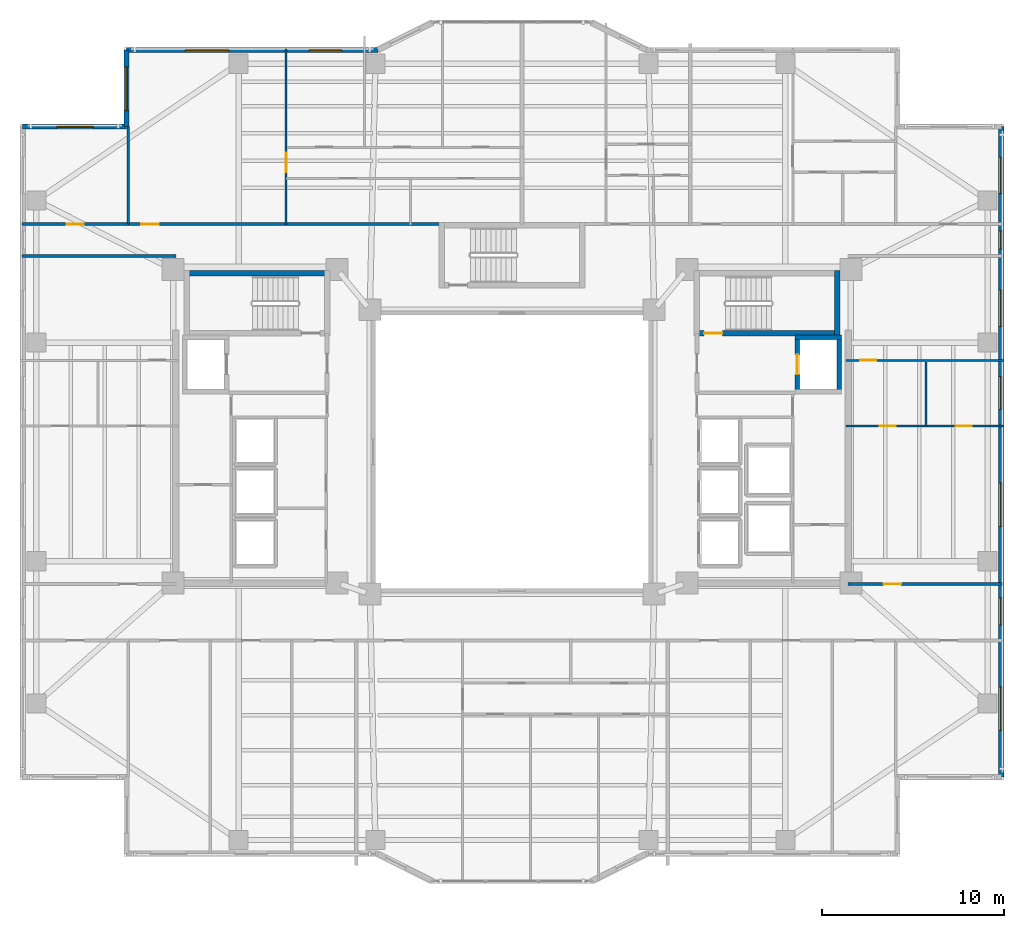
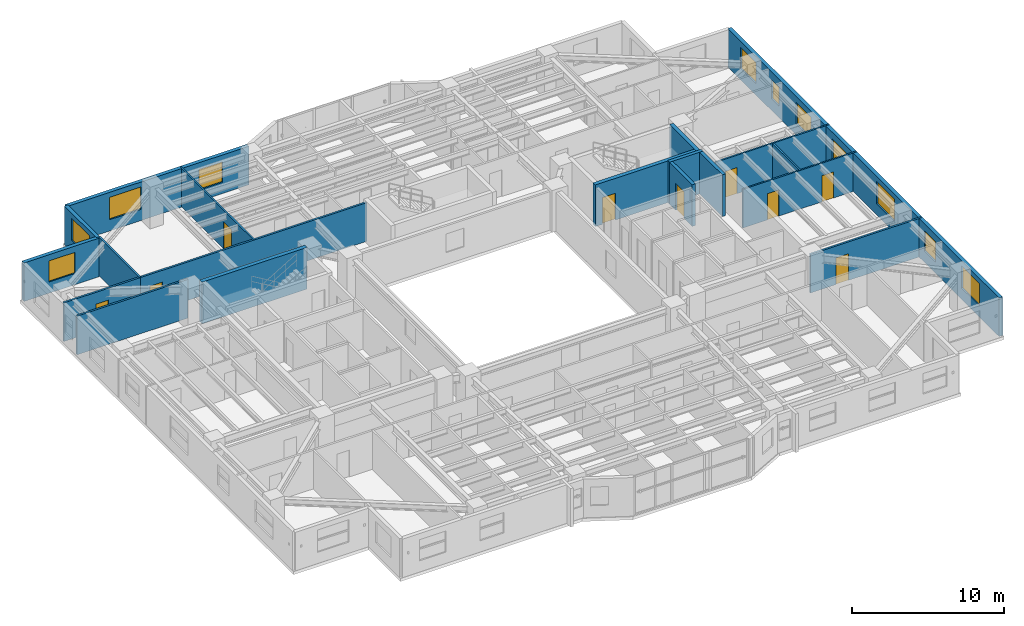
# One storey, part 9 of 18: 19 walls, 11 windows, 9 doors, 20 openings.
"""IFC4 building model written with IfcOpenShell, lengths in metres."""

from ifc_helpers import new_model, si_unit, direction, frame, frame_2d, origin, place, context, subcontext, project, spatial, rectangle, extrude, material, layer, layer_set, type_object, element, fill, save


model = new_model("IFC4")

# Units and contexts
model_context = context("Model", 3, precision=1e-05, world=origin(), true_north=direction((0.0, 1.0)))
body_context = subcontext(model_context, "Body", "Model", "MODEL_VIEW")
ifc_project = project(units=[si_unit("LENGTHUNIT", "METRE"), si_unit("AREAUNIT", "SQUARE_METRE"), si_unit("VOLUMEUNIT", "CUBIC_METRE"), si_unit("PLANEANGLEUNIT", "RADIAN"), si_unit("MASSUNIT", "GRAM", prefix="KILO")], contexts=[model_context])

# Site, building, storey
site_placement = place(None, origin())
site = spatial("IfcSite", under=ifc_project, at=site_placement, CompositionType="ELEMENT")
building_placement = place(site_placement, origin())
building = spatial("IfcBuilding", under=site, at=building_placement, Name="Tarnavaz Court Tower", CompositionType="ELEMENT")
storey_placement = place(building_placement, frame((0.0, 0.0, 95.050048828125)))
storey = spatial("IfcBuildingStorey", under=building, at=storey_placement, Name="L25", CompositionType="ELEMENT", Elevation=95.050048828125)

# Wall, opening, door
ifc_material_1 = material(Name="Concrete C60/75", Category="concrete")
ifc_layer_1 = layer(ifc_material_1, 0.25)
ifc_layer_set_1 = layer_set([ifc_layer_1], Name="Concrete C60/75")
wall_type_1 = type_object("IfcWallType", Name="WL-CORE-250-C60", PredefinedType="SHEAR", material=ifc_layer_set_1)
wall_1_placement = place(storey_placement, frame((15.64990234375, 3.175048828125, 0.0), z_axis=(0.0, 0.0, 1.0), x_axis=(0.0, 1.0, 0.0)))
wall_1 = element("IfcWall", 1, at=wall_1_placement, inside=storey, type_object=wall_type_1, Name="L25 Lift FL-E1 Shaft Wall 033", PredefinedType="SHEAR", context=body_context, shape_type="SweptSolid", body=[
    extrude(rectangle(XDim=3.25, YDim=0.25, at=frame_2d((1.625, 0.0))), origin(), (0.0, 0.0, 1.0), 3.349853515625),
])
opening_1_placement = place(wall_1_placement, frame((1.074951171875, 0.0, 0.0)))
opening_1 = element("IfcOpeningElement", 2, at=opening_1_placement, cuts=wall_1, Name="Opening LD1", PredefinedType="OPENING", context=body_context, shape_type="SweptSolid", body=[
    extrude(rectangle(XDim=1.10009765625, YDim=2.14990234375, at=frame_2d((0.550048828125, 1.074951171875))), frame((0.0, 0.135009765625, 0.0), z_axis=(0.0, -1.0, 0.0), x_axis=(1.0, 0.0, 0.0)), (0.0, 0.0, 1.0), 0.27001953125),
])
ifc_material_2 = material(Name="Stainless Steel", Category="steel")
door_type_1 = type_object("IfcDoorType", Name="DR-LD-1100", OperationType="NOTDEFINED", PredefinedType="DOOR", material=ifc_material_2)
door_1_placement = place(opening_1_placement, origin())
door_1 = element("IfcDoor", 3, at=door_1_placement, inside=storey, type_object=door_type_1, Name="L25 Lift Landing Door LD-FL-E1", OperationType="SLIDING_TO_LEFT", OverallHeight=2.14990234375, OverallWidth=1.10009765625, PredefinedType="DOOR", context=body_context, shape_type="SweptSolid", body=[
    extrude(rectangle(XDim=1.10009765625, YDim=2.14990234375, at=frame_2d((0.550048828125, 1.074951171875))), frame((0.0, 0.02490234375, 0.0), z_axis=(0.0, -1.0, 0.0), x_axis=(1.0, 0.0, 0.0)), (0.0, 0.0, 1.0), 0.050048828125),
])
fill(opening_1, door_1)

# Walls
wall_2_placement = place(storey_placement, frame((17.949951171875, 3.175048828125, 0.0), z_axis=(0.0, 0.0, 1.0), x_axis=(0.0, 1.0, 0.0)))
element("IfcWall", 4, at=wall_2_placement, inside=storey, type_object=wall_type_1, Name="L25 Lift FL-E1 Shaft Wall 034", PredefinedType="SHEAR", context=body_context, shape_type="SweptSolid", body=[
    extrude(rectangle(XDim=3.25, YDim=0.25, at=frame_2d((1.625, 0.0))), origin(), (0.0, 0.0, 1.0), 3.349853515625),
])
wall_3_placement = place(storey_placement, frame((15.52490234375, 6.300048828125, 0.0), z_axis=(0.0, 0.0, 1.0), x_axis=(1.0, 0.0, 0.0)))
element("IfcWall", 5, at=wall_3_placement, inside=storey, type_object=wall_type_1, Name="L25 Lift FL-E1 Shaft Wall 036", PredefinedType="SHEAR", context=body_context, shape_type="SweptSolid", body=[
    extrude(rectangle(XDim=2.550048828125, YDim=0.25, at=frame_2d((1.27490234375, 0.0))), origin(), (0.0, 0.0, 1.0), 3.349853515625),
])
ifc_layer_2 = layer(ifc_material_1, 0.300048828125)
ifc_layer_set_2 = layer_set([ifc_layer_2], Name="Concrete C60/75")
wall_type_2 = type_object("IfcWallType", Name="WL-CORE-300-C60", PredefinedType="SHEAR", material=ifc_layer_set_2)
wall_4_placement = place(storey_placement, frame((-18.0, 9.7900390625, 0.0), z_axis=(0.0, 0.0, 1.0), x_axis=(1.0, 0.0, 0.0)))
element("IfcWall", 6, at=wall_4_placement, inside=storey, type_object=wall_type_2, Name="L25 West Stair Core Wall 001", PredefinedType="SHEAR", context=body_context, shape_type="SweptSolid", body=[
    extrude(rectangle(XDim=8.0, YDim=0.300048828125, at=frame_2d((4.0, 0.0))), origin(), (0.0, 0.0, 1.0), 3.349853515625),
])

# Wall, opening, door
wall_5_placement = place(storey_placement, frame((10.0, 6.5, 0.0), z_axis=(0.0, 0.0, 1.0), x_axis=(1.0, 0.0, 0.0)))
wall_5 = element("IfcWall", 7, at=wall_5_placement, inside=storey, type_object=wall_type_2, Name="L25 East Stair Core Wall 006", PredefinedType="SHEAR", context=body_context, shape_type="SweptSolid", body=[
    extrude(rectangle(XDim=8.0, YDim=0.300048828125, at=frame_2d((4.0, 0.0))), origin(), (0.0, 0.0, 1.0), 3.349853515625),
])
opening_2_placement = place(wall_5_placement, frame((0.550048828125, 0.0, 0.0)))
opening_2 = element("IfcOpeningElement", 8, at=opening_2_placement, cuts=wall_5, Name="Opening D01", PredefinedType="OPENING", context=body_context, shape_type="SweptSolid", body=[
    extrude(rectangle(XDim=1.0, YDim=2.14990234375, at=frame_2d((0.5, 1.074951171875))), frame((0.0, 0.159912109375, 0.0), z_axis=(0.0, -1.0, 0.0), x_axis=(1.0, 0.0, 0.0)), (0.0, 0.0, 1.0), 0.320068359375),
])
ifc_material_3 = material(Name="Fire-Rated Hardwood Timber Core", Category="wood")
door_type_2 = type_object("IfcDoorType", Name="DR-FD90-1000", OperationType="NOTDEFINED", PredefinedType="DOOR", material=ifc_material_3)
door_2_placement = place(opening_2_placement, origin())
door_2 = element("IfcDoor", 9, at=door_2_placement, inside=storey, type_object=door_type_2, Name="L25 Stair ST-E1 Exit Door", OperationType="SINGLE_SWING_RIGHT", OverallHeight=2.14990234375, OverallWidth=1.0, PredefinedType="DOOR", context=body_context, shape_type="SweptSolid", body=[
    extrude(rectangle(XDim=1.0, YDim=2.14990234375, at=frame_2d((0.5, 1.074951171875))), frame((0.0, 0.02490234375, 0.0), z_axis=(0.0, -1.0, 0.0), x_axis=(1.0, 0.0, 0.0)), (0.0, 0.0, 1.0), 0.050048828125),
])
fill(opening_2, door_2)

# Wall
wall_6_placement = place(storey_placement, frame((17.85009765625, 6.35009765625, 0.0), z_axis=(0.0, 0.0, 1.0), x_axis=(0.0, 1.0, 0.0)))
element("IfcWall", 10, at=wall_6_placement, inside=storey, type_object=wall_type_2, Name="L25 East Stair Core Wall 008", PredefinedType="SHEAR", context=body_context, shape_type="SweptSolid", body=[
    extrude(rectangle(XDim=3.58984375, YDim=0.300048828125, at=frame_2d((1.794921875, 0.0))), origin(), (0.0, 0.0, 1.0), 3.349853515625),
])

# Wall, opening, window
ifc_material_4 = material(Name="Precast Concrete C40/50", Category="concrete")
ifc_layer_3 = layer(ifc_material_4, 0.280029296875)
ifc_layer_set_3 = layer_set([ifc_layer_3], Name="Precast Concrete C40/50")
wall_type_3 = type_object("IfcWallType", Name="WL-EXT-280", PredefinedType="SOLIDWALL", material=ifc_layer_set_3)
wall_7_placement = place(storey_placement, frame((-26.85009765625, 17.85009765625, 0.0), z_axis=(0.0, 0.0, 1.0), x_axis=(1.0, 0.0, 0.0)))
wall_7 = element("IfcWall", 11, at=wall_7_placement, inside=storey, type_object=wall_type_3, Name="L25 Exterior Terracotta Facade Wall 03", PredefinedType="SOLIDWALL", context=body_context, shape_type="SweptSolid", body=[
    extrude(rectangle(XDim=5.7001953125, YDim=0.280029296875, at=frame_2d((2.85009765625, 0.0))), origin(), (0.0, 0.0, 1.0), 3.099853515625),
])
opening_3_placement = place(wall_7_placement, frame((1.875, 0.0, 0.89990234375)))
opening_3 = element("IfcOpeningElement", 12, at=opening_3_placement, cuts=wall_7, Name="Opening W08", PredefinedType="OPENING", context=body_context, shape_type="SweptSolid", body=[
    extrude(rectangle(XDim=2.0, YDim=1.699951171875, at=frame_2d((1.0, 0.85009765625))), frame((0.0, 0.14990234375, 0.0), z_axis=(0.0, -1.0, 0.0), x_axis=(1.0, 0.0, 0.0)), (0.0, 0.0, 1.0), 0.300048828125),
])
ifc_material_5 = material(Name="Double-Glazed Solar Low-E Glass", Category="glass")
window_type_1 = type_object("IfcWindowType", Name="WN-APT-2000", PartitioningType="DOUBLE_PANEL_VERTICAL", PredefinedType="WINDOW", material=ifc_material_5)
window_1_placement = place(opening_3_placement, origin())
window_1 = element("IfcWindow", 13, at=window_1_placement, inside=storey, type_object=window_type_1, Name="L25 North-West Corner Sunroom Study Window", OverallHeight=1.699951171875, OverallWidth=2.0, PartitioningType="SINGLE_PANEL", PredefinedType="WINDOW", context=body_context, shape_type="SweptSolid", body=[
    extrude(rectangle(XDim=2.0, YDim=1.699951171875, at=frame_2d((1.0, 0.85009765625))), frame((0.0, 0.030029296875, 0.0), z_axis=(0.0, -1.0, 0.0), x_axis=(1.0, 0.0, 0.0)), (0.0, 0.0, 1.0), 0.06005859375),
])
fill(opening_3, window_1)

wall_8_placement = place(storey_placement, frame((-21.14990234375, 17.85009765625, 0.0), z_axis=(0.0, 0.0, 1.0), x_axis=(0.0, 1.0, 0.0)))
wall_8 = element("IfcWall", 14, at=wall_8_placement, inside=storey, type_object=wall_type_3, Name="L25 Exterior Terracotta Facade Wall 04", PredefinedType="SOLIDWALL", context=body_context, shape_type="SweptSolid", body=[
    extrude(rectangle(XDim=4.199951171875, YDim=0.280029296875, at=frame_2d((2.10009765625, 0.0))), origin(), (0.0, 0.0, 1.0), 3.099853515625),
])
opening_4_placement = place(wall_8_placement, frame((0.882080078125, 0.0, 0.89990234375)))
opening_4 = element("IfcOpeningElement", 15, at=opening_4_placement, cuts=wall_8, Name="Opening W06", PredefinedType="OPENING", context=body_context, shape_type="SweptSolid", body=[
    extrude(rectangle(XDim=2.39990234375, YDim=1.800048828125, at=frame_2d((1.199951171875, 0.89990234375))), frame((0.0, 0.14990234375, 0.0), z_axis=(0.0, -1.0, 0.0), x_axis=(1.0, 0.0, 0.0)), (0.0, 0.0, 1.0), 0.300048828125),
])
window_type_2 = type_object("IfcWindowType", Name="WN-APT-2400", PartitioningType="TRIPLE_PANEL_VERTICAL", PredefinedType="WINDOW", material=ifc_material_5)
window_2_placement = place(opening_4_placement, origin())
window_2 = element("IfcWindow", 16, at=window_2_placement, inside=storey, type_object=window_type_2, Name="L25 Flat 01 Living and Dining Room Window", OverallHeight=1.800048828125, OverallWidth=2.39990234375, PartitioningType="SINGLE_PANEL", PredefinedType="WINDOW", context=body_context, shape_type="SweptSolid", body=[
    extrude(rectangle(XDim=2.39990234375, YDim=1.800048828125, at=frame_2d((1.199951171875, 0.89990234375))), frame((0.0, 0.030029296875, 0.0), z_axis=(0.0, -1.0, 0.0), x_axis=(1.0, 0.0, 0.0)), (0.0, 0.0, 1.0), 0.06005859375),
])
fill(opening_4, window_2)

# Wall, openings, windows
wall_9_placement = place(storey_placement, frame((-21.14990234375, 22.050048828125, 0.0), z_axis=(0.0, 0.0, 1.0), x_axis=(1.0, 0.0, 0.0)))
wall_9 = element("IfcWall", 17, at=wall_9_placement, inside=storey, type_object=wall_type_3, Name="L25 Exterior Terracotta Facade Wall 05", PredefinedType="SOLIDWALL", context=body_context, shape_type="SweptSolid", body=[
    extrude(rectangle(XDim=13.7998046875, YDim=0.280029296875, at=frame_2d((6.89990234375, 0.0))), origin(), (0.0, 0.0, 1.0), 3.099853515625),
])
opening_5_placement = place(wall_9_placement, frame((3.216064453125, 0.0, 0.89990234375)))
opening_5 = element("IfcOpeningElement", 18, at=opening_5_placement, cuts=wall_9, Name="Opening W06", PredefinedType="OPENING", context=body_context, shape_type="SweptSolid", body=[
    extrude(rectangle(XDim=2.39990234375, YDim=1.800048828125, at=frame_2d((1.199951171875, 0.89990234375))), frame((0.0, 0.14990234375, 0.0), z_axis=(0.0, -1.0, 0.0), x_axis=(1.0, 0.0, 0.0)), (0.0, 0.0, 1.0), 0.300048828125),
])
opening_6_placement = place(wall_9_placement, frame((10.014404296875, 0.0, 0.89990234375)))
opening_6 = element("IfcOpeningElement", 19, at=opening_6_placement, cuts=wall_9, Name="Opening W01", PredefinedType="OPENING", context=body_context, shape_type="SweptSolid", body=[
    extrude(rectangle(XDim=1.800048828125, YDim=1.64990234375, at=frame_2d((0.89990234375, 0.824951171875))), frame((0.0, 0.14990234375, 0.0), z_axis=(0.0, -1.0, 0.0), x_axis=(1.0, 0.0, 0.0)), (0.0, 0.0, 1.0), 0.300048828125),
])
window_type_3 = type_object("IfcWindowType", Name="WN-APT-1800", PartitioningType="DOUBLE_PANEL_VERTICAL", PredefinedType="WINDOW", material=ifc_material_5)
window_3_placement = place(opening_6_placement, origin())
window_3 = element("IfcWindow", 20, at=window_3_placement, inside=storey, type_object=window_type_3, Name="L25 Flat 01 Principal Bedroom Window", OverallHeight=1.64990234375, OverallWidth=1.800048828125, PartitioningType="SINGLE_PANEL", PredefinedType="WINDOW", context=body_context, shape_type="SweptSolid", body=[
    extrude(rectangle(XDim=1.800048828125, YDim=1.64990234375, at=frame_2d((0.89990234375, 0.824951171875))), frame((0.0, 0.030029296875, 0.0), z_axis=(0.0, -1.0, 0.0), x_axis=(1.0, 0.0, 0.0)), (0.0, 0.0, 1.0), 0.06005859375),
])
fill(opening_6, window_3)
window_4_placement = place(opening_5_placement, origin())
window_4 = element("IfcWindow", 21, at=window_4_placement, inside=storey, type_object=window_type_2, Name="L25 Flat 01 Living and Dining Room Window", OverallHeight=1.800048828125, OverallWidth=2.39990234375, PartitioningType="SINGLE_PANEL", PredefinedType="WINDOW", context=body_context, shape_type="SweptSolid", body=[
    extrude(rectangle(XDim=2.39990234375, YDim=1.800048828125, at=frame_2d((1.199951171875, 0.89990234375))), frame((0.0, 0.030029296875, 0.0), z_axis=(0.0, -1.0, 0.0), x_axis=(1.0, 0.0, 0.0)), (0.0, 0.0, 1.0), 0.06005859375),
])
fill(opening_5, window_4)

wall_10_placement = place(storey_placement, frame((26.85009765625, 17.85009765625, 0.0), z_axis=(0.0, 0.0, 1.0), x_axis=(0.0, -1.0, 0.0)))
wall_10 = element("IfcWall", 22, at=wall_10_placement, inside=storey, type_object=wall_type_3, Name="L25 Exterior Terracotta Facade Wall 12", PredefinedType="SOLIDWALL", context=body_context, shape_type="SweptSolid", body=[
    extrude(rectangle(XDim=35.7001953125, YDim=0.280029296875, at=frame_2d((17.85009765625, 0.0))), origin(), (0.0, 0.0, 1.0), 3.099853515625),
])
opening_7_placement = place(wall_10_placement, frame((1.675048828125, 0.0, 0.89990234375)))
opening_7 = element("IfcOpeningElement", 23, at=opening_7_placement, cuts=wall_10, Name="Opening W08", PredefinedType="OPENING", context=body_context, shape_type="SweptSolid", body=[
    extrude(rectangle(XDim=2.0, YDim=1.699951171875, at=frame_2d((1.0, 0.85009765625))), frame((0.0, 0.14990234375, 0.0), z_axis=(0.0, -1.0, 0.0), x_axis=(1.0, 0.0, 0.0)), (0.0, 0.0, 1.0), 0.300048828125),
])
opening_8_placement = place(wall_10_placement, frame((5.72509765625, 0.0, 0.949951171875)))
opening_8 = element("IfcOpeningElement", 24, at=opening_8_placement, cuts=wall_10, Name="Opening W14", PredefinedType="OPENING", context=body_context, shape_type="SweptSolid", body=[
    extrude(rectangle(XDim=1.0, YDim=1.5, at=frame_2d((0.5, 0.75))), frame((0.0, 0.14990234375, 0.0), z_axis=(0.0, -1.0, 0.0), x_axis=(1.0, 0.0, 0.0)), (0.0, 0.0, 1.0), 0.300048828125),
])
opening_9_placement = place(wall_10_placement, frame((8.97509765625, 0.0, 0.89990234375)))
opening_9 = element("IfcOpeningElement", 25, at=opening_9_placement, cuts=wall_10, Name="Opening W08", PredefinedType="OPENING", context=body_context, shape_type="SweptSolid", body=[
    extrude(rectangle(XDim=2.0, YDim=1.699951171875, at=frame_2d((1.0, 0.85009765625))), frame((0.0, 0.14990234375, 0.0), z_axis=(0.0, -1.0, 0.0), x_axis=(1.0, 0.0, 0.0)), (0.0, 0.0, 1.0), 0.300048828125),
])
opening_10_placement = place(wall_10_placement, frame((13.72509765625, 0.0, 0.89990234375)))
opening_10 = element("IfcOpeningElement", 26, at=opening_10_placement, cuts=wall_10, Name="Opening W01", PredefinedType="OPENING", context=body_context, shape_type="SweptSolid", body=[
    extrude(rectangle(XDim=1.800048828125, YDim=1.64990234375, at=frame_2d((0.89990234375, 0.824951171875))), frame((0.0, 0.14990234375, 0.0), z_axis=(0.0, -1.0, 0.0), x_axis=(1.0, 0.0, 0.0)), (0.0, 0.0, 1.0), 0.300048828125),
])
opening_11_placement = place(wall_10_placement, frame((19.550048828125, 0.0, 0.89990234375)))
opening_11 = element("IfcOpeningElement", 27, at=opening_11_placement, cuts=wall_10, Name="Opening W06", PredefinedType="OPENING", context=body_context, shape_type="SweptSolid", body=[
    extrude(rectangle(XDim=2.39990234375, YDim=1.800048828125, at=frame_2d((1.199951171875, 0.89990234375))), frame((0.0, 0.14990234375, 0.0), z_axis=(0.0, -1.0, 0.0), x_axis=(1.0, 0.0, 0.0)), (0.0, 0.0, 1.0), 0.300048828125),
])
opening_12_placement = place(wall_10_placement, frame((25.857421875, 0.0, 0.89990234375)))
opening_12 = element("IfcOpeningElement", 28, at=opening_12_placement, cuts=wall_10, Name="Opening W03", PredefinedType="OPENING", context=body_context, shape_type="SweptSolid", body=[
    extrude(rectangle(XDim=1.5, YDim=1.64990234375, at=frame_2d((0.75, 0.824951171875))), frame((0.0, 0.14990234375, 0.0), z_axis=(0.0, -1.0, 0.0), x_axis=(1.0, 0.0, 0.0)), (0.0, 0.0, 1.0), 0.300048828125),
])
opening_13_placement = place(wall_10_placement, frame((30.75, 0.0, 0.89990234375)))
opening_13 = element("IfcOpeningElement", 29, at=opening_13_placement, cuts=wall_10, Name="Opening W06", PredefinedType="OPENING", context=body_context, shape_type="SweptSolid", body=[
    extrude(rectangle(XDim=2.39990234375, YDim=1.800048828125, at=frame_2d((1.199951171875, 0.89990234375))), frame((0.0, 0.14990234375, 0.0), z_axis=(0.0, -1.0, 0.0), x_axis=(1.0, 0.0, 0.0)), (0.0, 0.0, 1.0), 0.300048828125),
])
window_type_4 = type_object("IfcWindowType", Name="WN-APT-1000", PartitioningType="SINGLE_PANEL", PredefinedType="WINDOW", material=ifc_material_5)
window_5_placement = place(opening_8_placement, origin())
window_5 = element("IfcWindow", 30, at=window_5_placement, inside=storey, type_object=window_type_4, Name="L25 North-East Corner Corridor Window", OverallHeight=1.5, OverallWidth=1.0, PartitioningType="SINGLE_PANEL", PredefinedType="WINDOW", context=body_context, shape_type="SweptSolid", body=[
    extrude(rectangle(XDim=1.0, YDim=1.5, at=frame_2d((0.5, 0.75))), frame((0.0, 0.030029296875, 0.0), z_axis=(0.0, -1.0, 0.0), x_axis=(1.0, 0.0, 0.0)), (0.0, 0.0, 1.0), 0.06005859375),
])
fill(opening_8, window_5)
window_type_5 = type_object("IfcWindowType", Name="WN-APT-1500", PartitioningType="DOUBLE_PANEL_VERTICAL", PredefinedType="WINDOW", material=ifc_material_5)
window_6_placement = place(opening_12_placement, origin())
window_6 = element("IfcWindow", 31, at=window_6_placement, inside=storey, type_object=window_type_5, Name="L25 South-East Corner Corridor Window", OverallHeight=1.64990234375, OverallWidth=1.5, PartitioningType="SINGLE_PANEL", PredefinedType="WINDOW", context=body_context, shape_type="SweptSolid", body=[
    extrude(rectangle(XDim=1.5, YDim=1.64990234375, at=frame_2d((0.75, 0.824951171875))), frame((0.0, 0.030029296875, 0.0), z_axis=(0.0, -1.0, 0.0), x_axis=(1.0, 0.0, 0.0)), (0.0, 0.0, 1.0), 0.06005859375),
])
fill(opening_12, window_6)
window_7_placement = place(opening_10_placement, origin())
window_7 = element("IfcWindow", 32, at=window_7_placement, inside=storey, type_object=window_type_3, Name="L25 Flat 06 Bathroom Window", OverallHeight=1.64990234375, OverallWidth=1.800048828125, PartitioningType="SINGLE_PANEL", PredefinedType="WINDOW", context=body_context, shape_type="SweptSolid", body=[
    extrude(rectangle(XDim=1.800048828125, YDim=1.64990234375, at=frame_2d((0.89990234375, 0.824951171875))), frame((0.0, 0.030029296875, 0.0), z_axis=(0.0, -1.0, 0.0), x_axis=(1.0, 0.0, 0.0)), (0.0, 0.0, 1.0), 0.06005859375),
])
fill(opening_10, window_7)
window_8_placement = place(opening_7_placement, origin())
window_8 = element("IfcWindow", 33, at=window_8_placement, inside=storey, type_object=window_type_1, Name="L25 North-East Corner Sunroom Study Window", OverallHeight=1.699951171875, OverallWidth=2.0, PartitioningType="SINGLE_PANEL", PredefinedType="WINDOW", context=body_context, shape_type="SweptSolid", body=[
    extrude(rectangle(XDim=2.0, YDim=1.699951171875, at=frame_2d((1.0, 0.85009765625))), frame((0.0, 0.030029296875, 0.0), z_axis=(0.0, -1.0, 0.0), x_axis=(1.0, 0.0, 0.0)), (0.0, 0.0, 1.0), 0.06005859375),
])
fill(opening_7, window_8)
window_9_placement = place(opening_9_placement, origin())
window_9 = element("IfcWindow", 34, at=window_9_placement, inside=storey, type_object=window_type_1, Name="L25 Flat 06 Study Room Window", OverallHeight=1.699951171875, OverallWidth=2.0, PartitioningType="SINGLE_PANEL", PredefinedType="WINDOW", context=body_context, shape_type="SweptSolid", body=[
    extrude(rectangle(XDim=2.0, YDim=1.699951171875, at=frame_2d((1.0, 0.85009765625))), frame((0.0, 0.030029296875, 0.0), z_axis=(0.0, -1.0, 0.0), x_axis=(1.0, 0.0, 0.0)), (0.0, 0.0, 1.0), 0.06005859375),
])
fill(opening_9, window_9)
window_10_placement = place(opening_11_placement, origin())
window_10 = element("IfcWindow", 35, at=window_10_placement, inside=storey, type_object=window_type_2, Name="L25 Flat 06 Studio Living and Sleeping Room Window", OverallHeight=1.800048828125, OverallWidth=2.39990234375, PartitioningType="SINGLE_PANEL", PredefinedType="WINDOW", context=body_context, shape_type="SweptSolid", body=[
    extrude(rectangle(XDim=2.39990234375, YDim=1.800048828125, at=frame_2d((1.199951171875, 0.89990234375))), frame((0.0, 0.030029296875, 0.0), z_axis=(0.0, -1.0, 0.0), x_axis=(1.0, 0.0, 0.0)), (0.0, 0.0, 1.0), 0.06005859375),
])
fill(opening_11, window_10)
window_11_placement = place(opening_13_placement, origin())
window_11 = element("IfcWindow", 36, at=window_11_placement, inside=storey, type_object=window_type_2, Name="L25 South-East Corner Reading Room Window", OverallHeight=1.800048828125, OverallWidth=2.39990234375, PartitioningType="SINGLE_PANEL", PredefinedType="WINDOW", context=body_context, shape_type="SweptSolid", body=[
    extrude(rectangle(XDim=2.39990234375, YDim=1.800048828125, at=frame_2d((1.199951171875, 0.89990234375))), frame((0.0, 0.030029296875, 0.0), z_axis=(0.0, -1.0, 0.0), x_axis=(1.0, 0.0, 0.0)), (0.0, 0.0, 1.0), 0.06005859375),
])
fill(opening_13, window_11)

# Wall, opening, door
ifc_material_6 = material(Name="Gypsum Fire-Board on Acoustic Metal Stud", Category="masonry")
ifc_layer_4 = layer(ifc_material_6, 0.14990234375)
ifc_layer_set_4 = layer_set([ifc_layer_4], Name="Gypsum Fire-Board on Acoustic Metal Stud")
wall_type_4 = type_object("IfcWallType", Name="WL-FIRE-150", PredefinedType="PARTITIONING", material=ifc_layer_set_4)
wall_11_placement = place(storey_placement, frame((-21.050048828125, 12.5, 0.0), z_axis=(0.0, 0.0, 1.0), x_axis=(1.0, 0.0, 0.0)))
wall_11 = element("IfcWall", 37, at=wall_11_placement, inside=storey, type_object=wall_type_4, Name="L25 NW Wing Corridor Wall 071", PredefinedType="PARTITIONING", context=body_context, shape_type="SweptSolid", body=[
    extrude(rectangle(XDim=17.199951171875, YDim=0.14990234375, at=frame_2d((8.60009765625, 0.0))), origin(), (0.0, 0.0, 1.0), 3.099853515625),
])
opening_14_placement = place(wall_11_placement, frame((0.699951171875, 0.0, 0.0)))
opening_14 = element("IfcOpeningElement", 38, at=opening_14_placement, cuts=wall_11, Name="Opening D06", PredefinedType="OPENING", context=body_context, shape_type="SweptSolid", body=[
    extrude(rectangle(XDim=0.9599609375, YDim=2.14990234375, at=frame_2d((0.47998046875, 1.074951171875))), frame((0.0, 0.0849609375, 0.0), z_axis=(0.0, -1.0, 0.0), x_axis=(1.0, 0.0, 0.0)), (0.0, 0.0, 1.0), 0.169921875),
])
door_type_3 = type_object("IfcDoorType", Name="DR-FD60-950", OperationType="NOTDEFINED", PredefinedType="DOOR", material=ifc_material_3)
door_3_placement = place(opening_14_placement, origin())
door_3 = element("IfcDoor", 39, at=door_3_placement, inside=storey, type_object=door_type_3, Name="L25 Flat 01 Entrance Door", OperationType="SINGLE_SWING_LEFT", OverallHeight=2.14990234375, OverallWidth=0.9599609375, PredefinedType="DOOR", context=body_context, shape_type="SweptSolid", body=[
    extrude(rectangle(XDim=0.9599609375, YDim=2.14990234375, at=frame_2d((0.47998046875, 1.074951171875))), frame((0.0, 0.02490234375, 0.0), z_axis=(0.0, -1.0, 0.0), x_axis=(1.0, 0.0, 0.0)), (0.0, 0.0, 1.0), 0.050048828125),
])
fill(opening_14, door_3)

# Wall
wall_12_placement = place(storey_placement, frame((-26.8798828125, 10.75, 0.0), z_axis=(0.0, 0.0, 1.0), x_axis=(1.0, 0.0, 0.0)))
element("IfcWall", 40, at=wall_12_placement, inside=storey, type_object=wall_type_4, Name="L25 Interior Partition 109", PredefinedType="PARTITIONING", context=body_context, shape_type="SweptSolid", body=[
    extrude(rectangle(XDim=8.429931640625, YDim=0.14990234375, at=frame_2d((4.21484375, 0.0))), origin(), (0.0, 0.0, 1.0), 3.099853515625),
])

# Wall, opening, door
wall_13_placement = place(storey_placement, frame((18.449951171875, -7.25, 0.0), z_axis=(0.0, 0.0, 1.0), x_axis=(1.0, 0.0, 0.0)))
wall_13 = element("IfcWall", 41, at=wall_13_placement, inside=storey, type_object=wall_type_4, Name="L25 Interior Partition 110", PredefinedType="PARTITIONING", context=body_context, shape_type="SweptSolid", body=[
    extrude(rectangle(XDim=8.429931640625, YDim=0.14990234375, at=frame_2d((4.21484375, 0.0))), origin(), (0.0, 0.0, 1.0), 3.099853515625),
])
opening_15_placement = place(wall_13_placement, frame((1.949951171875, 0.0, 0.0)))
opening_15 = element("IfcOpeningElement", 42, at=opening_15_placement, cuts=wall_13, Name="Opening D06", PredefinedType="OPENING", context=body_context, shape_type="SweptSolid", body=[
    extrude(rectangle(XDim=0.9599609375, YDim=2.14990234375, at=frame_2d((0.47998046875, 1.074951171875))), frame((0.0, 0.0849609375, 0.0), z_axis=(0.0, -1.0, 0.0), x_axis=(1.0, 0.0, 0.0)), (0.0, 0.0, 1.0), 0.169921875),
])
door_4_placement = place(opening_15_placement, origin())
door_4 = element("IfcDoor", 43, at=door_4_placement, inside=storey, type_object=door_type_3, Name="L25 Flat 06 Entrance Door", OperationType="SINGLE_SWING_LEFT", OverallHeight=2.14990234375, OverallWidth=0.9599609375, PredefinedType="DOOR", context=body_context, shape_type="SweptSolid", body=[
    extrude(rectangle(XDim=0.9599609375, YDim=2.14990234375, at=frame_2d((0.47998046875, 1.074951171875))), frame((0.0, 0.02490234375, 0.0), z_axis=(0.0, -1.0, 0.0), x_axis=(1.0, 0.0, 0.0)), (0.0, 0.0, 1.0), 0.050048828125),
])
fill(opening_15, door_4)

wall_14_placement = place(storey_placement, frame((-26.8798828125, 12.5, 0.0), z_axis=(0.0, 0.0, 1.0), x_axis=(1.0, 0.0, 0.0)))
wall_14 = element("IfcWall", 44, at=wall_14_placement, inside=storey, type_object=wall_type_4, Name="L25 Interior Partition 116", PredefinedType="PARTITIONING", context=body_context, shape_type="SweptSolid", body=[
    extrude(rectangle(XDim=5.829833984375, YDim=0.14990234375, at=frame_2d((2.9150390625, 0.0))), origin(), (0.0, 0.0, 1.0), 3.099853515625),
])
opening_16_placement = place(wall_14_placement, frame((2.43994140625, 0.0, 0.0)))
opening_16 = element("IfcOpeningElement", 45, at=opening_16_placement, cuts=wall_14, Name="Opening D13", PredefinedType="OPENING", context=body_context, shape_type="SweptSolid", body=[
    extrude(rectangle(XDim=0.949951171875, YDim=2.14990234375, at=frame_2d((0.47509765625, 1.074951171875))), frame((0.0, 0.0849609375, 0.0), z_axis=(0.0, -1.0, 0.0), x_axis=(1.0, 0.0, 0.0)), (0.0, 0.0, 1.0), 0.169921875),
])
ifc_material_7 = material(Name="Engineered Oak Timber", Category="wood")
door_type_4 = type_object("IfcDoorType", Name="DR-INT-950", OperationType="NOTDEFINED", PredefinedType="DOOR", material=ifc_material_7)
door_5_placement = place(opening_16_placement, origin())
door_5 = element("IfcDoor", 46, at=door_5_placement, inside=storey, type_object=door_type_4, Name="L25 NW Sunroom Door", OperationType="SINGLE_SWING_LEFT", OverallHeight=2.14990234375, OverallWidth=0.949951171875, PredefinedType="DOOR", context=body_context, shape_type="SweptSolid", body=[
    extrude(rectangle(XDim=0.949951171875, YDim=2.14990234375, at=frame_2d((0.47509765625, 1.074951171875))), frame((0.0, 0.02490234375, 0.0), z_axis=(0.0, -1.0, 0.0), x_axis=(1.0, 0.0, 0.0)), (0.0, 0.0, 1.0), 0.050048828125),
])
fill(opening_16, door_5)

ifc_material_8 = material(Name="Moisture-Resistant Gypsum Board Partition", Category="masonry")
ifc_layer_5 = layer(ifc_material_8, 0.1201171875)
ifc_layer_set_5 = layer_set([ifc_layer_5], Name="Moisture-Resistant Gypsum Board Partition")
wall_type_5 = type_object("IfcWallType", Name="WL-PART-120", PredefinedType="PARTITIONING", material=ifc_layer_set_5)
wall_15_placement = place(storey_placement, frame((-12.39794921875, 12.43994140625, 0.0), z_axis=(0.0, 0.0, 1.0), x_axis=(0.0, 1.0, 0.0)))
wall_15 = element("IfcWall", 47, at=wall_15_placement, inside=storey, type_object=wall_type_5, Name="L25 Interior Partition 076", PredefinedType="PARTITIONING", context=body_context, shape_type="SweptSolid", body=[
    extrude(rectangle(XDim=9.66015625, YDim=0.1201171875, at=frame_2d((4.830078125, 0.0))), origin(), (0.0, 0.0, 1.0), 3.099853515625),
])
opening_17_placement = place(wall_15_placement, frame((2.905029296875, 0.0, 0.0)))
opening_17 = element("IfcOpeningElement", 48, at=opening_17_placement, cuts=wall_15, Name="Opening D12", PredefinedType="OPENING", context=body_context, shape_type="SweptSolid", body=[
    extrude(rectangle(XDim=1.080078125, YDim=2.14990234375, at=frame_2d((0.5400390625, 1.074951171875))), frame((0.0, 0.070068359375, 0.0), z_axis=(0.0, -1.0, 0.0), x_axis=(1.0, 0.0, 0.0)), (0.0, 0.0, 1.0), 0.14013671875),
])
door_type_5 = type_object("IfcDoorType", Name="DR-INT-1100", OperationType="NOTDEFINED", PredefinedType="DOOR", material=ifc_material_7)
door_6_placement = place(opening_17_placement, origin())
door_6 = element("IfcDoor", 49, at=door_6_placement, inside=storey, type_object=door_type_5, Name="L25 Flat 01 Foyer Door", OperationType="SINGLE_SWING_RIGHT", OverallHeight=2.14990234375, OverallWidth=1.080078125, PredefinedType="DOOR", context=body_context, shape_type="SweptSolid", body=[
    extrude(rectangle(XDim=1.080078125, YDim=2.14990234375, at=frame_2d((0.5400390625, 1.074951171875))), frame((0.0, 0.02490234375, 0.0), z_axis=(0.0, -1.0, 0.0), x_axis=(1.0, 0.0, 0.0)), (0.0, 0.0, 1.0), 0.050048828125),
])
fill(opening_17, door_6)

# Wall, openings, doors
wall_16_placement = place(storey_placement, frame((18.330078125, 1.419921875, 0.0), z_axis=(0.0, 0.0, 1.0), x_axis=(1.0, 0.0, 0.0)))
wall_16 = element("IfcWall", 50, at=wall_16_placement, inside=storey, type_object=wall_type_5, Name="L25 Interior Partition 123", PredefinedType="PARTITIONING", context=body_context, shape_type="SweptSolid", body=[
    extrude(rectangle(XDim=8.669921875, YDim=0.1201171875, at=frame_2d((4.3349609375, 0.0))), origin(), (0.0, 0.0, 1.0), 3.099853515625),
])
opening_18_placement = place(wall_16_placement, frame((1.863037109375, 0.0, 0.0)))
opening_18 = element("IfcOpeningElement", 51, at=opening_18_placement, cuts=wall_16, Name="Opening D14", PredefinedType="OPENING", context=body_context, shape_type="SweptSolid", body=[
    extrude(rectangle(XDim=0.8798828125, YDim=2.10009765625, at=frame_2d((0.43994140625, 1.050048828125))), frame((0.0, 0.070068359375, 0.0), z_axis=(0.0, -1.0, 0.0), x_axis=(1.0, 0.0, 0.0)), (0.0, 0.0, 1.0), 0.14013671875),
])
opening_19_placement = place(wall_16_placement, frame((6.028076171875, 0.0, 0.0)))
opening_19 = element("IfcOpeningElement", 52, at=opening_19_placement, cuts=wall_16, Name="Opening D14", PredefinedType="OPENING", context=body_context, shape_type="SweptSolid", body=[
    extrude(rectangle(XDim=0.8798828125, YDim=2.10009765625, at=frame_2d((0.43994140625, 1.050048828125))), frame((0.0, 0.070068359375, 0.0), z_axis=(0.0, -1.0, 0.0), x_axis=(1.0, 0.0, 0.0)), (0.0, 0.0, 1.0), 0.14013671875),
])
door_type_6 = type_object("IfcDoorType", Name="DR-INT-900", OperationType="NOTDEFINED", PredefinedType="DOOR", material=ifc_material_7)
door_7_placement = place(opening_18_placement, origin())
door_7 = element("IfcDoor", 53, at=door_7_placement, inside=storey, type_object=door_type_6, Name="L25 Flat 06 Kitchen Door", OperationType="SINGLE_SWING_RIGHT", OverallHeight=2.10009765625, OverallWidth=0.8798828125, PredefinedType="DOOR", context=body_context, shape_type="SweptSolid", body=[
    extrude(rectangle(XDim=0.8798828125, YDim=2.10009765625, at=frame_2d((0.43994140625, 1.050048828125))), frame((0.0, 0.02490234375, 0.0), z_axis=(0.0, -1.0, 0.0), x_axis=(1.0, 0.0, 0.0)), (0.0, 0.0, 1.0), 0.050048828125),
])
fill(opening_18, door_7)
door_8_placement = place(opening_19_placement, origin())
door_8 = element("IfcDoor", 54, at=door_8_placement, inside=storey, type_object=door_type_6, Name="L25 Flat 06 Bathroom Door", OperationType="SINGLE_SWING_LEFT", OverallHeight=2.10009765625, OverallWidth=0.8798828125, PredefinedType="DOOR", context=body_context, shape_type="SweptSolid", body=[
    extrude(rectangle(XDim=0.8798828125, YDim=2.10009765625, at=frame_2d((0.43994140625, 1.050048828125))), frame((0.0, 0.02490234375, 0.0), z_axis=(0.0, -1.0, 0.0), x_axis=(1.0, 0.0, 0.0)), (0.0, 0.0, 1.0), 0.050048828125),
])
fill(opening_19, door_8)

# Wall, opening, door
wall_17_placement = place(storey_placement, frame((18.330078125, 5.02001953125, 0.0), z_axis=(0.0, 0.0, 1.0), x_axis=(1.0, 0.0, 0.0)))
wall_17 = element("IfcWall", 55, at=wall_17_placement, inside=storey, type_object=wall_type_5, Name="L25 Interior Partition 124", PredefinedType="PARTITIONING", context=body_context, shape_type="SweptSolid", body=[
    extrude(rectangle(XDim=8.669921875, YDim=0.1201171875, at=frame_2d((4.3349609375, 0.0))), origin(), (0.0, 0.0, 1.0), 3.099853515625),
])
opening_20_placement = place(wall_17_placement, frame((0.77001953125, 0.0, 0.0)))
opening_20 = element("IfcOpeningElement", 56, at=opening_20_placement, cuts=wall_17, Name="Opening D14", PredefinedType="OPENING", context=body_context, shape_type="SweptSolid", body=[
    extrude(rectangle(XDim=0.8798828125, YDim=2.10009765625, at=frame_2d((0.43994140625, 1.050048828125))), frame((0.0, 0.070068359375, 0.0), z_axis=(0.0, -1.0, 0.0), x_axis=(1.0, 0.0, 0.0)), (0.0, 0.0, 1.0), 0.14013671875),
])
door_9_placement = place(opening_20_placement, origin())
door_9 = element("IfcDoor", 57, at=door_9_placement, inside=storey, type_object=door_type_6, Name="L25 Flat 06 Study Door", OperationType="SINGLE_SWING_RIGHT", OverallHeight=2.10009765625, OverallWidth=0.8798828125, PredefinedType="DOOR", context=body_context, shape_type="SweptSolid", body=[
    extrude(rectangle(XDim=0.8798828125, YDim=2.10009765625, at=frame_2d((0.43994140625, 1.050048828125))), frame((0.0, 0.02490234375, 0.0), z_axis=(0.0, -1.0, 0.0), x_axis=(1.0, 0.0, 0.0)), (0.0, 0.0, 1.0), 0.050048828125),
])
fill(opening_20, door_9)

# Walls
wall_18_placement = place(storey_placement, frame((22.715087890625, 1.360107421875, 0.0), z_axis=(0.0, 0.0, 1.0), x_axis=(0.0, 1.0, 0.0)))
element("IfcWall", 58, at=wall_18_placement, inside=storey, type_object=wall_type_5, Name="L25 Interior Partition 125", PredefinedType="PARTITIONING", context=body_context, shape_type="SweptSolid", body=[
    extrude(rectangle(XDim=3.579833984375, YDim=0.1201171875, at=frame_2d((1.7900390625, 0.0))), origin(), (0.0, 0.0, 1.0), 3.099853515625),
])
ifc_material_9 = material(Name="Gypsum Plasterboard Acoustic Partition", Category="masonry")
ifc_layer_6 = layer(ifc_material_9, 0.139892578125)
ifc_layer_set_6 = layer_set([ifc_layer_6], Name="Gypsum Plasterboard Acoustic Partition")
wall_type_6 = type_object("IfcWallType", Name="WL-PART-150", PredefinedType="PARTITIONING", material=ifc_layer_set_6)
wall_19_placement = place(storey_placement, frame((-21.050048828125, 12.5, 0.0), z_axis=(0.0, 0.0, 1.0), x_axis=(0.0, 1.0, 0.0)))
element("IfcWall", 59, at=wall_19_placement, inside=storey, type_object=wall_type_6, Name="L25 Interior Partition 114", PredefinedType="PARTITIONING", context=body_context, shape_type="SweptSolid", body=[
    extrude(rectangle(XDim=5.35009765625, YDim=0.139892578125, at=frame_2d((2.675048828125, 0.0))), origin(), (0.0, 0.0, 1.0), 3.099853515625),
])

save(model, "model.ifc")
